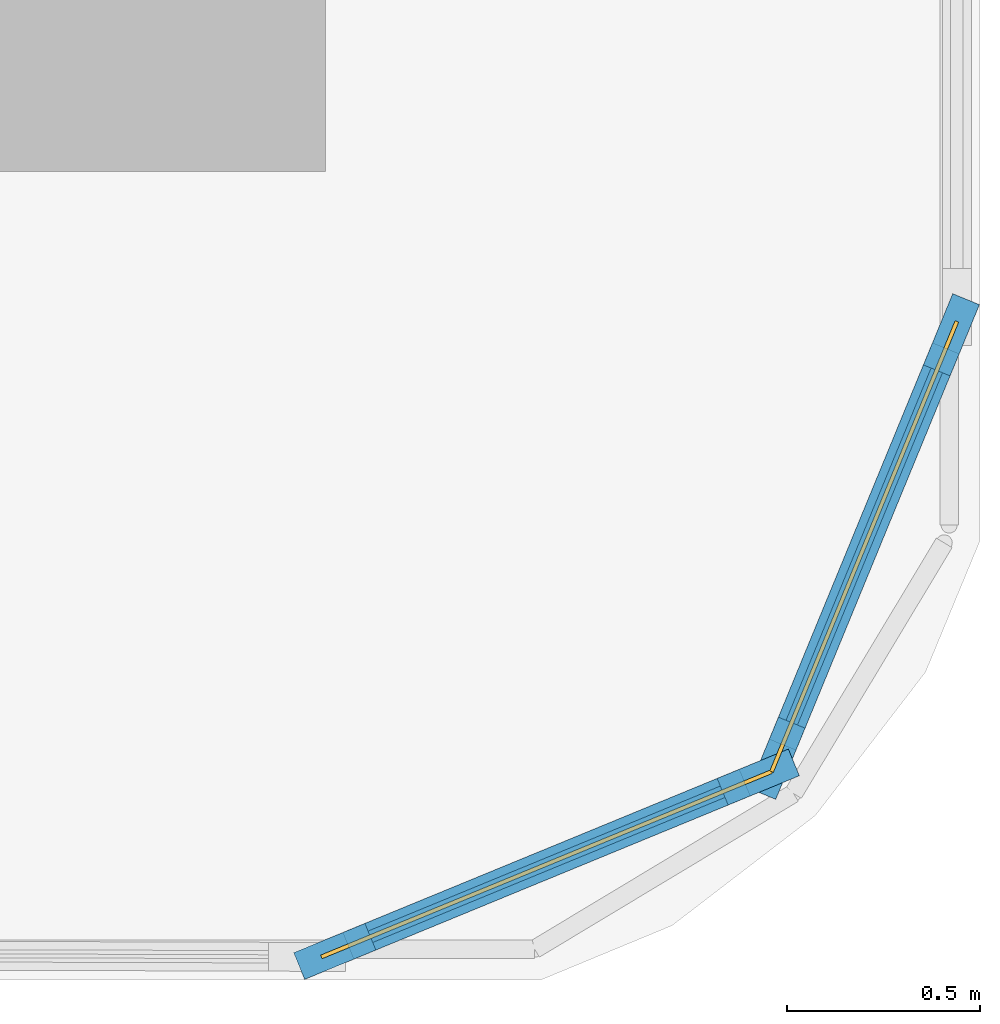
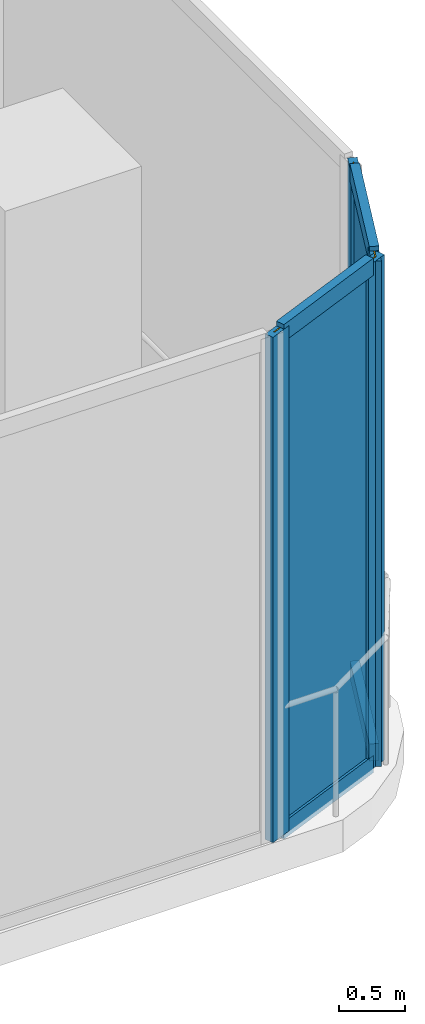
# One storey, part 19 of 31: 8 members, 2 curtain walls, 2 plates.
"""IFC4 building model written with IfcOpenShell, lengths in metres."""

from ifc_helpers import new_model, si_unit, direction, frame, frame_2d, origin, origin_2d, place, context, subcontext, project, spatial, rectangle, extrude, material, layer, layer_set, material_profile, profile_set, type_object, element, aggregate, save


model = new_model("IFC4")

# Units and contexts
model_context = context("Model", 3, precision=1e-05, world=origin(), true_north=direction((0.0, 1.0)))
body_context = subcontext(model_context, "Body", "Model", "MODEL_VIEW")
ifc_project = project(units=[si_unit("LENGTHUNIT", "METRE"), si_unit("AREAUNIT", "SQUARE_METRE"), si_unit("VOLUMEUNIT", "CUBIC_METRE"), si_unit("PLANEANGLEUNIT", "RADIAN"), si_unit("MASSUNIT", "GRAM", prefix="KILO")], contexts=[model_context])

# Member
ifc_material_1 = material(Name="Anodised Bronze Aluminium 6063-T6", Category="aluminium")
ifc_material_profile_1 = material_profile(ifc_material_1, rectangle(XDim=0.074951171875, YDim=0.199951171875, at=origin_2d()))
ifc_profile_set_1 = profile_set([ifc_material_profile_1], Name="Anodised Bronze Aluminium 6063-T6")
member_type_1 = type_object("IfcMemberType", Name="CW-POD Mullion 75x200", PredefinedType="MULLION", material=ifc_profile_set_1)
site_placement = place(None, origin())
building_placement = place(site_placement, origin())
storey_placement = place(building_placement, frame((0.0, 0.0, 11.0)))
member_1_placement = place(storey_placement, frame((36.42578125, -25.82421875, 0.0), z_axis=(0.0, 0.0, 1.0), x_axis=(0.924715766813, -0.380658312148, 0.0)))
member_1 = element("IfcMember", 1, at=member_1_placement, type_object=member_type_1, Name="CW-POD mullion 1", PredefinedType="MULLION", context=body_context, shape_type="SweptSolid", body=[
    extrude(rectangle(XDim=0.074951171875, YDim=0.199951171875, at=origin_2d()), origin(), (0.0, 0.0, 1.0), 4.699951171875),
])

member_2_placement = place(storey_placement, frame((35.972900390625, -26.924072265625, 0.0), z_axis=(0.0, 0.0, 1.0), x_axis=(0.924715766813, -0.380658312148, 0.0)))
member_2 = element("IfcMember", 2, at=member_2_placement, type_object=member_type_1, Name="CW-POD mullion 2", PredefinedType="MULLION", context=body_context, shape_type="SweptSolid", body=[
    extrude(rectangle(XDim=0.074951171875, YDim=0.199951171875, at=origin_2d()), origin(), (0.0, 0.0, 1.0), 4.699951171875),
])

member_3_placement = place(storey_placement, frame((35.924072265625, -26.972900390625, 0.0), z_axis=(0.0, 0.0, 1.0), x_axis=(0.380658312148, -0.924715766813, 0.0)))
member_3 = element("IfcMember", 3, at=member_3_placement, type_object=member_type_1, Name="CW-POD mullion 1", PredefinedType="MULLION", context=body_context, shape_type="SweptSolid", body=[
    extrude(rectangle(XDim=0.074951171875, YDim=0.199951171875, at=origin_2d()), origin(), (0.0, 0.0, 1.0), 4.699951171875),
])

member_4_placement = place(storey_placement, frame((34.82421875, -27.42578125, 0.0), z_axis=(0.0, 0.0, 1.0), x_axis=(0.380658312148, -0.924715766813, 0.0)))
member_4 = element("IfcMember", 4, at=member_4_placement, type_object=member_type_1, Name="CW-POD mullion 2", PredefinedType="MULLION", context=body_context, shape_type="SweptSolid", body=[
    extrude(rectangle(XDim=0.074951171875, YDim=0.199951171875, at=origin_2d()), origin(), (0.0, 0.0, 1.0), 4.699951171875),
])

ifc_material_2 = material(Name="Anodised Bronze Aluminium 6063-T6", Category="aluminium")
ifc_material_profile_2 = material_profile(ifc_material_2, rectangle(XDim=0.074951171875, YDim=0.159912109375, at=origin_2d()))
ifc_profile_set_2 = profile_set([ifc_material_profile_2], Name="Anodised Bronze Aluminium 6063-T6")
member_type_2 = type_object("IfcMemberType", Name="CW-POD Transom 75x160", PredefinedType="USERDEFINED", material=ifc_profile_set_2)
member_5_placement = place(storey_placement, frame((36.411376953125, -25.85888671875, 0.03759765625), z_axis=(-0.380551452849, -0.924759748115, 0.0), x_axis=(0.924759748115, -0.380551452849, 0.0)))
member_5 = element("IfcMember", 5, at=member_5_placement, type_object=member_type_2, Name="CW-POD transom 1.1", ObjectType="TRANSOM", PredefinedType="USERDEFINED", context=body_context, shape_type="SweptSolid", body=[
    extrude(rectangle(XDim=0.074951171875, YDim=0.159912109375, at=origin_2d()), origin(), (0.0, 0.0, 1.0), 1.1142578125),
])

member_6_placement = place(storey_placement, frame((36.411376953125, -25.85888671875, 4.66259765625), z_axis=(-0.380551452849, -0.924759748115, 0.0), x_axis=(0.924759748115, -0.380551452849, 0.0)))
member_6 = element("IfcMember", 6, at=member_6_placement, type_object=member_type_2, Name="CW-POD transom 1.2", ObjectType="TRANSOM", PredefinedType="USERDEFINED", context=body_context, shape_type="SweptSolid", body=[
    extrude(rectangle(XDim=0.074951171875, YDim=0.159912109375, at=origin_2d()), origin(), (0.0, 0.0, 1.0), 1.1142578125),
])

member_7_placement = place(storey_placement, frame((35.889404296875, -26.9873046875, 0.03759765625), z_axis=(-0.924759748115, -0.380551452849, 0.0), x_axis=(0.380551452849, -0.924759748115, 0.0)))
member_7 = element("IfcMember", 7, at=member_7_placement, type_object=member_type_2, Name="CW-POD transom 1.1", ObjectType="TRANSOM", PredefinedType="USERDEFINED", context=body_context, shape_type="SweptSolid", body=[
    extrude(rectangle(XDim=0.074951171875, YDim=0.159912109375, at=origin_2d()), origin(), (0.0, 0.0, 1.0), 1.1142578125),
])

member_8_placement = place(storey_placement, frame((35.889404296875, -26.9873046875, 4.66259765625), z_axis=(-0.924759748115, -0.380551452849, 0.0), x_axis=(0.380551452849, -0.924759748115, 0.0)))
member_8 = element("IfcMember", 8, at=member_8_placement, type_object=member_type_2, Name="CW-POD transom 1.2", ObjectType="TRANSOM", PredefinedType="USERDEFINED", context=body_context, shape_type="SweptSolid", body=[
    extrude(rectangle(XDim=0.074951171875, YDim=0.159912109375, at=origin_2d()), origin(), (0.0, 0.0, 1.0), 1.1142578125),
])

# Plate
ifc_material_3 = material(Name="Low-E Solar Control Laminated Glass", Category="glass")
ifc_layer_1 = layer(ifc_material_3, 0.031982421875, Name="Low-E Solar Control Laminated Glass")
ifc_layer_set_1 = layer_set([ifc_layer_1], Name="Low-E Solar Control Laminated Glass")
plate_type = type_object("IfcPlateType", Name="CW-POD Low-E Double Glazed Panel 32mm", PredefinedType="CURTAIN_PANEL", material=ifc_layer_set_1)
plate_1_placement = place(storey_placement, frame((36.199462890625, -26.3740234375, 0.0751953125), z_axis=(0.0, 0.0, 1.0), x_axis=(-0.380658312148, -0.924715766813, 0.0)))
plate_1 = element("IfcPlate", 9, at=plate_1_placement, type_object=plate_type, Name="CW-POD panel 1.1", PredefinedType="CURTAIN_PANEL", context=body_context, shape_type="SweptSolid", body=[
    extrude(rectangle(XDim=1.114501953125, YDim=0.031982421875, at=origin_2d()), origin(), (0.0, 0.0, 1.0), 4.550048828125),
])

plate_2_placement = place(storey_placement, frame((35.3740234375, -27.199462890625, 0.0751953125), z_axis=(0.0, 0.0, 1.0), x_axis=(-0.924715766813, -0.380658312148, 0.0)))
plate_2 = element("IfcPlate", 10, at=plate_2_placement, type_object=plate_type, Name="CW-POD panel 1.1", PredefinedType="CURTAIN_PANEL", context=body_context, shape_type="SweptSolid", body=[
    extrude(rectangle(XDim=1.114501953125, YDim=0.031982421875, at=origin_2d()), origin(), (0.0, 0.0, 1.0), 4.550048828125),
])

# Site, building, storey
site = spatial("IfcSite", under=ifc_project, at=site_placement, CompositionType="ELEMENT")
building = spatial("IfcBuilding", under=site, at=building_placement, Name="Khairoan Windgate Tower", CompositionType="ELEMENT")
storey = spatial("IfcBuildingStorey", under=building, at=storey_placement, Name="L03", CompositionType="ELEMENT", Elevation=11.0)

# Curtain wall
ifc_material_4 = material(Name="Anodised Bronze Aluminium 6063-T6", Category="aluminium")
ifc_layer_2 = layer(ifc_material_4, 0.199951171875, Name="Anodised Bronze Aluminium 6063-T6")
ifc_layer_set_2 = layer_set([ifc_layer_2], Name="Anodised Bronze Aluminium 6063-T6")
curtain_wall_type = type_object("IfcCurtainWallType", Name="Podium Arch Galleria Curtain Wall CW-POD", PredefinedType="NOTDEFINED", material=ifc_layer_set_2)
curtain_wall_1_placement = place(storey_placement, frame((36.43994140625, -25.78955078125, 0.0), z_axis=(0.0, 0.0, 1.0), x_axis=(-0.380594408119, -0.92474207026, 0.0)))
curtain_wall_1 = element("IfcCurtainWall", 11, at=curtain_wall_1_placement, inside=storey, type_object=curtain_wall_type, Name="L03 Sculpted Podium Wing Curtain Wall 2.6", PredefinedType="NOTDEFINED", context=body_context, shape_type="SweptSolid", body=[
    extrude(rectangle(XDim=1.264404296875, YDim=0.010009765625, at=frame_2d((0.63232421875, 0.0))), origin(), (0.0, 0.0, 1.0), 4.699951171875),
])

aggregate(curtain_wall_1, [member_1, member_2, member_5, member_6, plate_1])

curtain_wall_2_placement = place(storey_placement, frame((35.958740234375, -26.958740234375, 0.0), z_axis=(0.0, 0.0, 1.0), x_axis=(-0.92474207026, -0.380594408119, 0.0)))
curtain_wall_2 = element("IfcCurtainWall", 12, at=curtain_wall_2_placement, inside=storey, type_object=curtain_wall_type, Name="L03 Sculpted Podium Wing Curtain Wall 2.7", PredefinedType="NOTDEFINED", context=body_context, shape_type="SweptSolid", body=[
    extrude(rectangle(XDim=1.264404296875, YDim=0.010009765625, at=frame_2d((0.63232421875, 0.0))), origin(), (0.0, 0.0, 1.0), 4.699951171875),
])

aggregate(curtain_wall_2, [member_3, member_4, member_7, member_8, plate_2])

save(model, "model.ifc")
